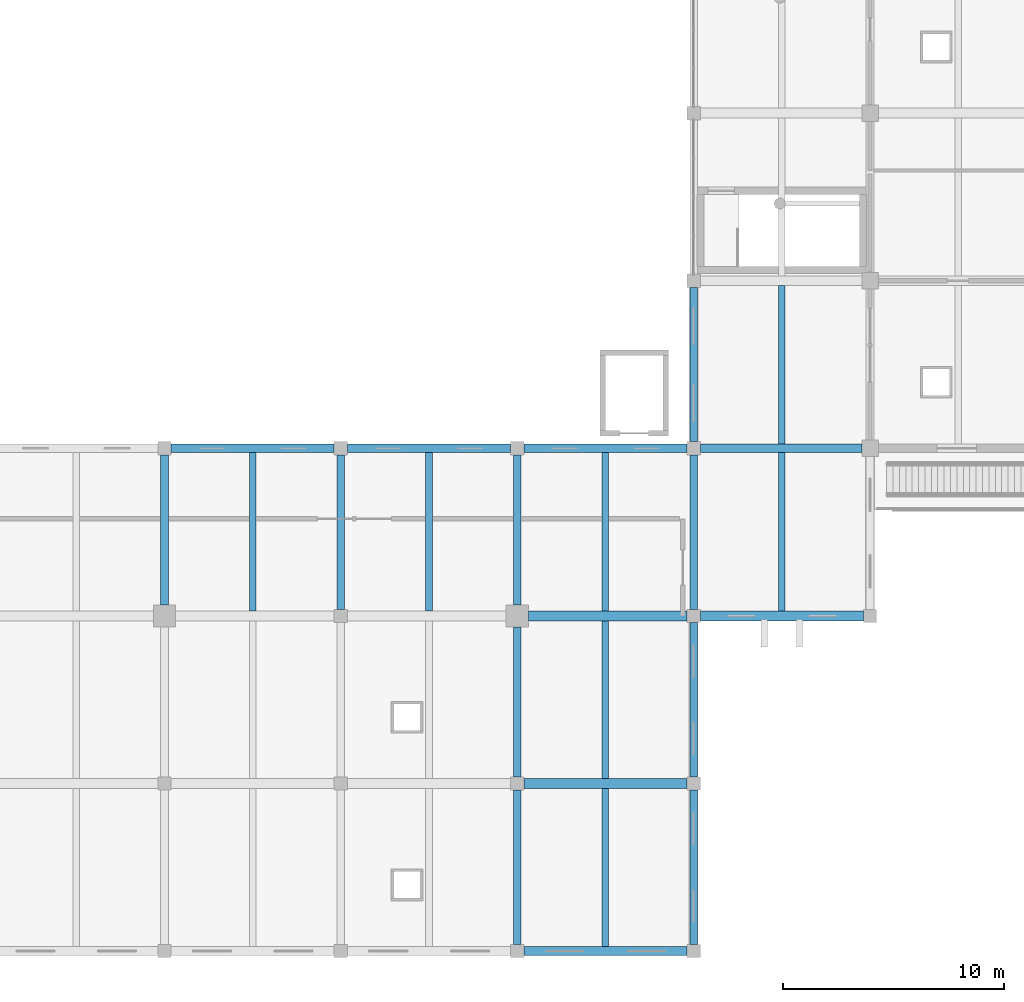
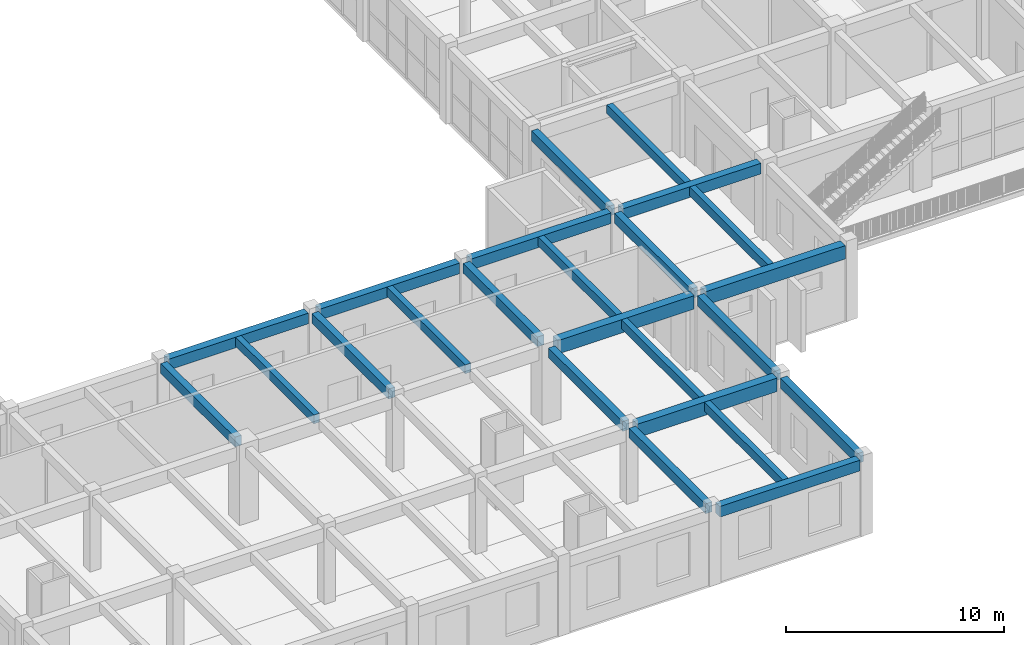
# One storey, part 5 of 79: 24 beams.
"""IFC4 building model written with IfcOpenShell, lengths in metres."""

from ifc_helpers import new_model, si_unit, direction, frame, origin, origin_2d, place, context, subcontext, project, spatial, rectangle, extrude, material, material_profile, profile_set, type_object, element, save


model = new_model("IFC4")

# Units and contexts
model_context = context("Model", 3, precision=1e-05, world=origin(), true_north=direction((0.0, 1.0)))
body_context = subcontext(model_context, "Body", "Model", "MODEL_VIEW")
ifc_project = project(units=[si_unit("LENGTHUNIT", "METRE"), si_unit("AREAUNIT", "SQUARE_METRE"), si_unit("VOLUMEUNIT", "CUBIC_METRE"), si_unit("PLANEANGLEUNIT", "RADIAN"), si_unit("MASSUNIT", "GRAM", prefix="KILO")], contexts=[model_context])

# Site, building, storey
site_placement = place(None, origin())
site = spatial("IfcSite", under=ifc_project, at=site_placement, CompositionType="ELEMENT")
building_placement = place(site_placement, origin())
building = spatial("IfcBuilding", under=site, at=building_placement, Name="Zantavel Square City Hall", CompositionType="ELEMENT")
storey_placement = place(building_placement, frame((0.0, 0.0, 10.199951171875)))
storey = spatial("IfcBuildingStorey", under=building, at=storey_placement, Name="L03", CompositionType="ELEMENT", Elevation=10.199951171875)

# Beams
ifc_material = material(Name="Concrete C35/45", Category="concrete")
ifc_material_profile_1 = material_profile(ifc_material, rectangle(XDim=0.300048828125, YDim=0.5, at=origin_2d()), Name="RC 300x500")
ifc_profile_set_1 = profile_set([ifc_material_profile_1], Name="Concrete C35/45")
beam_type_1 = type_object("IfcBeamType", Name="Floor Joist RC 300x500 C35/45", PredefinedType="JOIST", material=ifc_profile_set_1)
for number, where, z_axis, x_axis, name in (
    (1, (28.0, 23.02490234375, 3.969970703125), (0.0, 1.0, 0.0), (-1.0, 0.0, 0.0), "L03 Floor Joist JST-L03-0280-0228"),
    (2, (36.0, 23.02490234375, 3.969970703125), (0.0, 1.0, 0.0), (-1.0, 0.0, 0.0), "L03 Floor Joist JST-L03-0360-0228"),
    (3, (44.0, 7.800048828125, 3.969970703125), (0.0, 1.0, 0.0), (-1.0, 0.0, 0.0), "L03 Floor Joist JST-L03-0440-0076"),
):
    element("IfcBeam", number, at=place(storey_placement, frame(where, z_axis=z_axis, x_axis=x_axis)), inside=storey, type_object=beam_type_1, Name=name, PredefinedType="JOIST", context=body_context, shape_type="SweptSolid", body=[
        extrude(rectangle(XDim=0.300048828125, YDim=0.5, at=origin_2d()), origin(), (0.0, 0.0, 1.0), 7.175048828125),
    ])
beam_1_placement = place(storey_placement, frame((44.0, 15.425048828125, 3.969970703125), z_axis=(0.0, 1.0, 0.0), x_axis=(-1.0, 0.0, 0.0)))
element("IfcBeam", 4, at=beam_1_placement, inside=storey, type_object=beam_type_1, Name="L03 Floor Joist JST-L03-0440-0152", PredefinedType="JOIST", context=body_context, shape_type="SweptSolid", body=[
    extrude(rectangle(XDim=0.300048828125, YDim=0.5, at=origin_2d()), origin(), (0.0, 0.0, 1.0), 7.14990234375),
])
for number, where, z_axis, x_axis, name in (
    (5, (44.0, 23.02490234375, 3.969970703125), (0.0, 1.0, 0.0), (-1.0, 0.0, 0.0), "L03 Floor Joist JST-L03-0440-0228"),
    (6, (52.0, 23.02490234375, 3.969970703125), (0.0, 1.0, 0.0), (-1.0, 0.0, 0.0), "L03 Floor Joist JST-L03-0520-0228"),
):
    element("IfcBeam", number, at=place(storey_placement, frame(where, z_axis=z_axis, x_axis=x_axis)), inside=storey, type_object=beam_type_1, Name=name, PredefinedType="JOIST", context=body_context, shape_type="SweptSolid", body=[
        extrude(rectangle(XDim=0.300048828125, YDim=0.5, at=origin_2d()), origin(), (0.0, 0.0, 1.0), 7.175048828125),
    ])
beam_2_placement = place(storey_placement, frame((52.0, 30.60009765625, 3.969970703125), z_axis=(0.0, 1.0, 0.0), x_axis=(-1.0, 0.0, 0.0)))
element("IfcBeam", 7, at=beam_2_placement, inside=storey, type_object=beam_type_1, Name="L03 Floor Joist JST-L03-0520-0304", PredefinedType="JOIST", context=body_context, shape_type="SweptSolid", body=[
    extrude(rectangle(XDim=0.300048828125, YDim=0.5, at=origin_2d()), origin(), (0.0, 0.0, 1.0), 7.1748046875),
])
ifc_material_profile_2 = material_profile(ifc_material, rectangle(XDim=0.39990234375, YDim=0.60009765625, at=origin_2d()), Name="RC 400x600")
ifc_profile_set_2 = profile_set([ifc_material_profile_2], Name="Concrete C35/45")
beam_type_2 = type_object("IfcBeamType", Name="Perimeter Spandrel RC 400x600 C35/45", PredefinedType="SPANDREL", material=ifc_profile_set_2)
for number, where, z_axis, x_axis, name in (
    (8, (24.300048828125, 30.39990234375, 3.920166015625), (1.0, 0.0, 0.0), (0.0, 1.0, 0.0), "L03 Girder BMX-L03-0240-0304"),
    (9, (32.300048828125, 30.39990234375, 3.920166015625), (1.0, 0.0, 0.0), (0.0, 1.0, 0.0), "L03 Girder BMX-L03-0320-0304"),
    (10, (40.300048828125, 7.60009765625, 3.920166015625), (1.0, 0.0, 0.0), (0.0, 1.0, 0.0), "L03 Girder BMX-L03-0400-0076"),
    (11, (40.300048828125, 30.39990234375, 3.920166015625), (1.0, 0.0, 0.0), (0.0, 1.0, 0.0), "L03 Girder BMX-L03-0400-0304"),
):
    element("IfcBeam", number, at=place(storey_placement, frame(where, z_axis=z_axis, x_axis=x_axis)), inside=storey, type_object=beam_type_2, Name=name, PredefinedType="SPANDREL", context=body_context, shape_type="SweptSolid", body=[
        extrude(rectangle(XDim=0.39990234375, YDim=0.60009765625, at=origin_2d()), origin(), (0.0, 0.0, 1.0), 7.39990234375),
    ])
beam_3_placement = place(storey_placement, frame((48.300048828125, 30.39990234375, 3.920166015625), z_axis=(1.0, 0.0, 0.0), x_axis=(0.0, 1.0, 0.0)))
element("IfcBeam", 12, at=beam_3_placement, inside=storey, type_object=beam_type_2, Name="L03 Girder BMX-L03-0480-0304", PredefinedType="SPANDREL", context=body_context, shape_type="SweptSolid", body=[
    extrude(rectangle(XDim=0.39990234375, YDim=0.60009765625, at=origin_2d()), origin(), (0.0, 0.0, 1.0), 7.324951171875),
])
ifc_material_profile_3 = material_profile(ifc_material, rectangle(XDim=0.449951171875, YDim=0.75, at=origin_2d()), Name="RC 450x750")
ifc_profile_set_3 = profile_set([ifc_material_profile_3], Name="Concrete C35/45")
beam_type_3 = type_object("IfcBeamType", Name="Primary Girder RC 450x750 C35/45", PredefinedType="BEAM", material=ifc_profile_set_3)
beam_4_placement = place(storey_placement, frame((40.300048828125, 15.199951171875, 3.844970703125), z_axis=(1.0, 0.0, 0.0), x_axis=(0.0, 1.0, 0.0)))
element("IfcBeam", 13, at=beam_4_placement, inside=storey, type_object=beam_type_3, Name="L03 Girder BMX-L03-0400-0152", PredefinedType="BEAM", context=body_context, shape_type="SweptSolid", body=[
    extrude(rectangle(XDim=0.449951171875, YDim=0.75, at=origin_2d()), origin(), (0.0, 0.0, 1.0), 7.39990234375),
])
beam_5_placement = place(storey_placement, frame((40.5, 22.800048828125, 3.844970703125), z_axis=(1.0, 0.0, 0.0), x_axis=(0.0, 1.0, 0.0)))
element("IfcBeam", 14, at=beam_5_placement, inside=storey, type_object=beam_type_3, Name="L03 Girder BMX-L03-0400-0228", PredefinedType="BEAM", context=body_context, shape_type="SweptSolid", body=[
    extrude(rectangle(XDim=0.449951171875, YDim=0.75, at=origin_2d()), origin(), (0.0, 0.0, 1.0), 7.199951171875),
])
beam_6_placement = place(storey_placement, frame((48.300048828125, 22.800048828125, 3.844970703125), z_axis=(1.0, 0.0, 0.0), x_axis=(0.0, 1.0, 0.0)))
element("IfcBeam", 15, at=beam_6_placement, inside=storey, type_object=beam_type_3, Name="L03 Girder BMX-L03-0480-0228", PredefinedType="BEAM", context=body_context, shape_type="SweptSolid", body=[
    extrude(rectangle(XDim=0.449951171875, YDim=0.75, at=origin_2d()), origin(), (0.0, 0.0, 1.0), 7.39990234375),
])
ifc_material_profile_4 = material_profile(ifc_material, rectangle(XDim=0.35009765625, YDim=0.550048828125, at=origin_2d()), Name="RC 350x550")
ifc_profile_set_4 = profile_set([ifc_material_profile_4], Name="Concrete C35/45")
beam_type_4 = type_object("IfcBeamType", Name="Secondary Beam RC 350x550 C35/45", PredefinedType="BEAM", material=ifc_profile_set_4)
beam_7_placement = place(storey_placement, frame((24.0, 23.300048828125, 3.945068359375), z_axis=(0.0, 1.0, 0.0), x_axis=(-1.0, 0.0, 0.0)))
element("IfcBeam", 16, at=beam_7_placement, inside=storey, type_object=beam_type_4, Name="L03 Beam BMY-L03-0240-0228", PredefinedType="BEAM", context=body_context, shape_type="SweptSolid", body=[
    extrude(rectangle(XDim=0.35009765625, YDim=0.550048828125, at=origin_2d()), origin(), (0.0, 0.0, 1.0), 6.800048828125),
])
for number, where, z_axis, x_axis, name in (
    (17, (32.0, 23.10009765625, 3.945068359375), (0.0, 1.0, 0.0), (-1.0, 0.0, 0.0), "L03 Beam BMY-L03-0320-0228"),
    (18, (40.0, 7.89990234375, 3.945068359375), (0.0, 1.0, 0.0), (-1.0, 0.0, 0.0), "L03 Beam BMY-L03-0400-0076"),
):
    element("IfcBeam", number, at=place(storey_placement, frame(where, z_axis=z_axis, x_axis=x_axis)), inside=storey, type_object=beam_type_4, Name=name, PredefinedType="BEAM", context=body_context, shape_type="SweptSolid", body=[
        extrude(rectangle(XDim=0.35009765625, YDim=0.550048828125, at=origin_2d()), origin(), (0.0, 0.0, 1.0), 7.0),
    ])
for number, where, z_axis, x_axis, name in (
    (19, (40.0, 15.5, 3.945068359375), (0.0, 1.0, 0.0), (-1.0, 0.0, 0.0), "L03 Beam BMY-L03-0400-0152"),
    (20, (40.0, 23.300048828125, 3.945068359375), (0.0, 1.0, 0.0), (-1.0, 0.0, 0.0), "L03 Beam BMY-L03-0400-0228"),
):
    element("IfcBeam", number, at=place(storey_placement, frame(where, z_axis=z_axis, x_axis=x_axis)), inside=storey, type_object=beam_type_4, Name=name, PredefinedType="BEAM", context=body_context, shape_type="SweptSolid", body=[
        extrude(rectangle(XDim=0.35009765625, YDim=0.550048828125, at=origin_2d()), origin(), (0.0, 0.0, 1.0), 6.800048828125),
    ])
for number, where, z_axis, x_axis, name in (
    (21, (48.0, 7.89990234375, 3.945068359375), (0.0, 1.0, 0.0), (-1.0, 0.0, 0.0), "L03 Beam BMY-L03-0480-0076"),
    (22, (48.0, 15.5, 3.945068359375), (0.0, 1.0, 0.0), (-1.0, 0.0, 0.0), "L03 Beam BMY-L03-0480-0152"),
    (23, (48.0, 23.10009765625, 3.945068359375), (0.0, 1.0, 0.0), (-1.0, 0.0, 0.0), "L03 Beam BMY-L03-0480-0228"),
    (24, (48.0, 30.699951171875, 3.945068359375), (0.0, 1.0, 0.0), (-1.0, 0.0, 0.0), "L03 Beam BMY-L03-0480-0304"),
):
    element("IfcBeam", number, at=place(storey_placement, frame(where, z_axis=z_axis, x_axis=x_axis)), inside=storey, type_object=beam_type_4, Name=name, PredefinedType="BEAM", context=body_context, shape_type="SweptSolid", body=[
        extrude(rectangle(XDim=0.35009765625, YDim=0.550048828125, at=origin_2d()), origin(), (0.0, 0.0, 1.0), 7.0),
    ])

save(model, "model.ifc")
